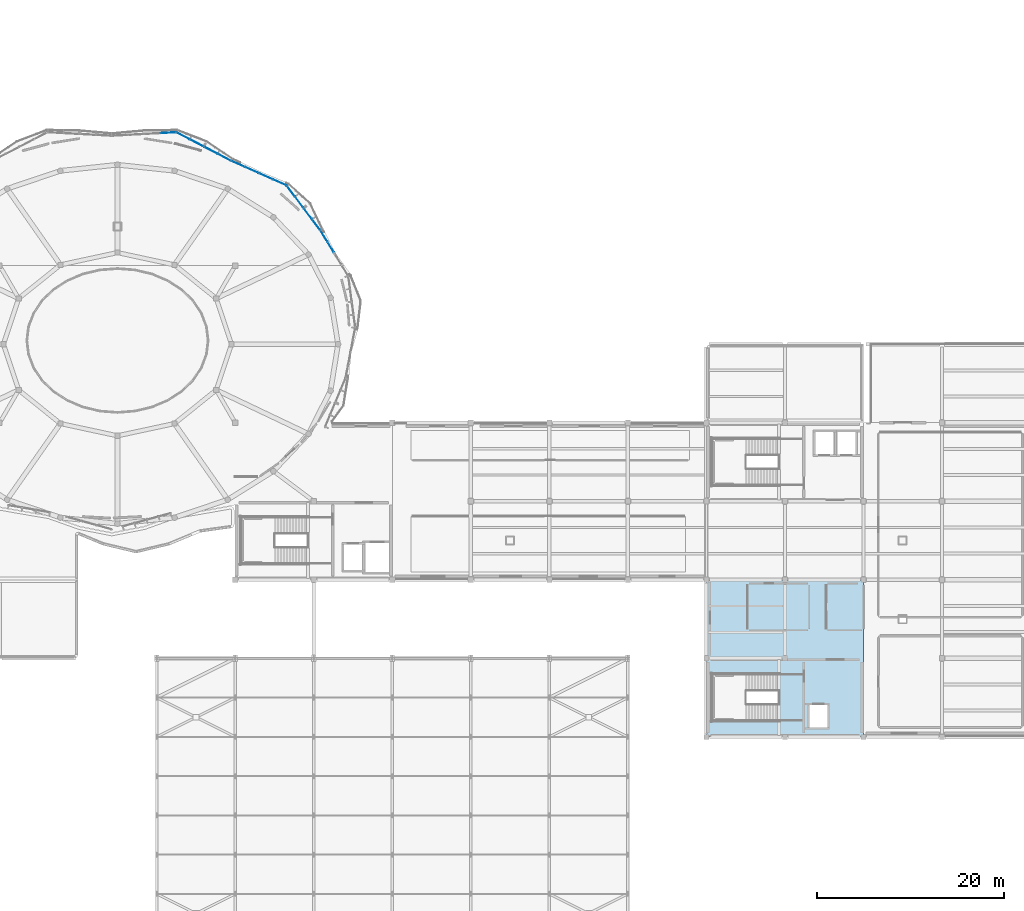
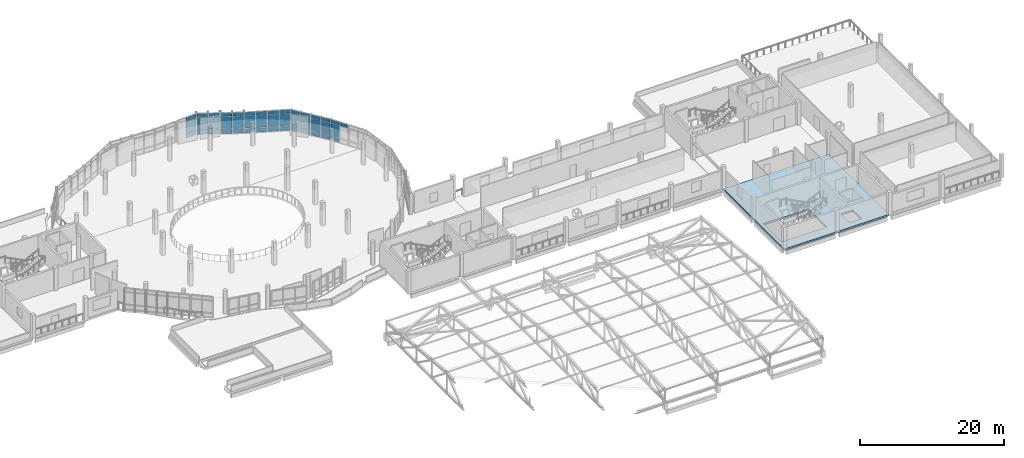
# One storey, part 53 of 74: 43 plates, 1 slab, 8 elements without a shape of their own.
"""IFC4 building model written with IfcOpenShell, lengths in metres."""

from ifc_helpers import new_model, si_unit, derived_unit, direction, frame, origin, origin_2d, place, context, subcontext, project, spatial, polyline, rectangle, outline, extrude, material, layer, layer_set, type_object, element, aggregate, save


model = new_model("IFC4")

# Units and contexts
model_context = context("Model", 3, precision=1e-05, world=origin(), true_north=direction((0.0, 1.0)))
body_context = subcontext(model_context, "Body", "Model", "MODEL_VIEW")
ifc_project = project(units=[si_unit("LENGTHUNIT", "METRE"), si_unit("AREAUNIT", "SQUARE_METRE"), si_unit("VOLUMEUNIT", "CUBIC_METRE"), si_unit("PLANEANGLEUNIT", "RADIAN"), si_unit("MASSUNIT", "GRAM", prefix="KILO"), derived_unit("THERMALTRANSMITTANCEUNIT", [(si_unit("POWERUNIT", "WATT"), 1), (si_unit("LENGTHUNIT", "METRE"), -2), (si_unit("THERMODYNAMICTEMPERATUREUNIT", "KELVIN"), -1)])], contexts=[model_context])

# Site, building, storey
site_placement = place(None, origin())
site = spatial("IfcSite", under=ifc_project, at=site_placement, CompositionType="ELEMENT")
building_placement = place(site_placement, origin())
building = spatial("IfcBuilding", under=site, at=building_placement, Name="Elbkamm Science Centre", CompositionType="ELEMENT")
storey_placement = place(building_placement, frame((0.0, 0.0, 14.39990234375)))
storey = spatial("IfcBuildingStorey", under=building, at=storey_placement, Name="L03", CompositionType="ELEMENT", Elevation=14.39990234375)

# Curtain wall, plates
ifc_material_1 = material(Name="Powder-coated aluminium and triple low-E glazing", Category="aluminium")
ifc_layer_1 = layer(ifc_material_1, 0.159912109375)
ifc_layer_set_1 = layer_set([ifc_layer_1], Name="Powder-coated aluminium and triple low-E glazing")
curtain_wall_type_1 = type_object("IfcCurtainWallType", Name="CW-UNIT-2820x3620", PredefinedType="USERDEFINED", material=ifc_layer_set_1)
curtain_wall_1_placement = place(storey_placement, origin())
curtain_wall_1 = element("IfcCurtainWall", 1, at=curtain_wall_1_placement, inside=storey, type_object=curtain_wall_type_1, Name="L03 Unitised Curtain Wall 048", ObjectType="UNITISED CURTAIN WALL", PredefinedType="USERDEFINED")
ifc_material_2 = material(Name="Triple solar-control insulated safety glass", Category="glass")
ifc_layer_2 = layer(ifc_material_2, 0.0400390625)
ifc_layer_set_2 = layer_set([ifc_layer_2], Name="Triple solar-control insulated safety glass")
plate_type = type_object("IfcPlateType", Name="CW-PNL-40", PredefinedType="CURTAIN_PANEL", material=ifc_layer_set_2)
plate_1_placement = place(storey_placement, frame((85.8115234375, 77.584716796875, 3.0), z_axis=(0.0, 0.0, 1.0), x_axis=(-0.521392814935, 0.853316783225, 0.0)))
plate_1 = element("IfcPlate", 2, at=plate_1_placement, type_object=plate_type, Name="CW-021 panel 1.3", PredefinedType="CURTAIN_PANEL", context=body_context, shape_type="SweptSolid", body=[
    extrude(rectangle(XDim=1.324462890625, YDim=0.0400390625, at=origin_2d()), origin(), (0.0, 0.0, 1.0), 0.56005859375),
])
plate_2_placement = place(storey_placement, frame((85.089599609375, 78.76611328125, 0.06005859375), z_axis=(0.0, 0.0, 1.0), x_axis=(-0.521392814935, 0.853316783225, 0.0)))
plate_2 = element("IfcPlate", 3, at=plate_2_placement, type_object=plate_type, Name="CW-021 panel 2.1", PredefinedType="CURTAIN_PANEL", context=body_context, shape_type="SweptSolid", body=[
    extrude(rectangle(XDim=1.324462890625, YDim=0.0400390625, at=origin_2d()), origin(), (0.0, 0.0, 1.0), 0.760009765625),
])
plate_3_placement = place(storey_placement, frame((85.089599609375, 78.76611328125, 0.880126953125), z_axis=(0.0, 0.0, 1.0), x_axis=(-0.521392814935, 0.853316783225, 0.0)))
plate_3 = element("IfcPlate", 4, at=plate_3_placement, type_object=plate_type, Name="CW-021 panel 2.2", PredefinedType="CURTAIN_PANEL", context=body_context, shape_type="SweptSolid", body=[
    extrude(rectangle(XDim=1.324462890625, YDim=0.0400390625, at=origin_2d()), origin(), (0.0, 0.0, 1.0), 2.06005859375),
])
plate_4_placement = place(storey_placement, frame((85.089599609375, 78.76611328125, 3.0), z_axis=(0.0, 0.0, 1.0), x_axis=(-0.521392814935, 0.853316783225, 0.0)))
plate_4 = element("IfcPlate", 5, at=plate_4_placement, type_object=plate_type, Name="CW-021 panel 2.3", PredefinedType="CURTAIN_PANEL", context=body_context, shape_type="SweptSolid", body=[
    extrude(rectangle(XDim=1.324462890625, YDim=0.0400390625, at=origin_2d()), origin(), (0.0, 0.0, 1.0), 0.56005859375),
])
aggregate(curtain_wall_1, [plate_1, plate_2, plate_3, plate_4])

ifc_layer_3 = layer(ifc_material_1, 0.159912109375)
ifc_layer_set_3 = layer_set([ifc_layer_3], Name="Powder-coated aluminium and triple low-E glazing")
curtain_wall_type_2 = type_object("IfcCurtainWallType", Name="CW-UNIT-2960x3620", PredefinedType="USERDEFINED", material=ifc_layer_set_3)
curtain_wall_2_placement = place(storey_placement, origin())
curtain_wall_2 = element("IfcCurtainWall", 6, at=curtain_wall_2_placement, inside=storey, type_object=curtain_wall_type_2, Name="L03 Unitised Curtain Wall 049", ObjectType="UNITISED CURTAIN WALL", PredefinedType="USERDEFINED")
plate_5_placement = place(storey_placement, frame((84.259033203125, 79.98486328125, 0.06005859375), z_axis=(0.0, 0.0, 1.0), x_axis=(-0.601881182445, 0.798585651148, 0.0)))
plate_5 = element("IfcPlate", 7, at=plate_5_placement, type_object=plate_type, Name="CW-022 panel 1.1", PredefinedType="CURTAIN_PANEL", context=body_context, shape_type="SweptSolid", body=[
    extrude(rectangle(XDim=1.388671875, YDim=0.0400390625, at=origin_2d()), origin(), (0.0, 0.0, 1.0), 0.760009765625),
])
plate_6_placement = place(storey_placement, frame((84.259033203125, 79.98486328125, 0.880126953125), z_axis=(0.0, 0.0, 1.0), x_axis=(-0.601881182445, 0.798585651148, 0.0)))
plate_6 = element("IfcPlate", 8, at=plate_6_placement, type_object=plate_type, Name="CW-022 panel 1.2", PredefinedType="CURTAIN_PANEL", context=body_context, shape_type="SweptSolid", body=[
    extrude(rectangle(XDim=1.388671875, YDim=0.0400390625, at=origin_2d()), origin(), (0.0, 0.0, 1.0), 2.06005859375),
])
plate_7_placement = place(storey_placement, frame((84.259033203125, 79.98486328125, 3.0), z_axis=(0.0, 0.0, 1.0), x_axis=(-0.601881182445, 0.798585651148, 0.0)))
plate_7 = element("IfcPlate", 9, at=plate_7_placement, type_object=plate_type, Name="CW-022 panel 1.3", PredefinedType="CURTAIN_PANEL", context=body_context, shape_type="SweptSolid", body=[
    extrude(rectangle(XDim=1.388671875, YDim=0.0400390625, at=origin_2d()), origin(), (0.0, 0.0, 1.0), 0.56005859375),
])
plate_8_placement = place(storey_placement, frame((83.38720703125, 81.1416015625, 0.06005859375), z_axis=(0.0, 0.0, 1.0), x_axis=(-0.601881182445, 0.798585651148, 0.0)))
plate_8 = element("IfcPlate", 10, at=plate_8_placement, type_object=plate_type, Name="CW-022 panel 2.1", PredefinedType="CURTAIN_PANEL", context=body_context, shape_type="SweptSolid", body=[
    extrude(rectangle(XDim=1.388671875, YDim=0.0400390625, at=origin_2d()), origin(), (0.0, 0.0, 1.0), 0.760009765625),
])
plate_9_placement = place(storey_placement, frame((83.38720703125, 81.1416015625, 0.880126953125), z_axis=(0.0, 0.0, 1.0), x_axis=(-0.601881182445, 0.798585651148, 0.0)))
plate_9 = element("IfcPlate", 11, at=plate_9_placement, type_object=plate_type, Name="CW-022 panel 2.2", PredefinedType="CURTAIN_PANEL", context=body_context, shape_type="SweptSolid", body=[
    extrude(rectangle(XDim=1.388671875, YDim=0.0400390625, at=origin_2d()), origin(), (0.0, 0.0, 1.0), 2.06005859375),
])
plate_10_placement = place(storey_placement, frame((83.38720703125, 81.1416015625, 3.0), z_axis=(0.0, 0.0, 1.0), x_axis=(-0.601881182445, 0.798585651148, 0.0)))
plate_10 = element("IfcPlate", 12, at=plate_10_placement, type_object=plate_type, Name="CW-022 panel 2.3", PredefinedType="CURTAIN_PANEL", context=body_context, shape_type="SweptSolid", body=[
    extrude(rectangle(XDim=1.388671875, YDim=0.0400390625, at=origin_2d()), origin(), (0.0, 0.0, 1.0), 0.56005859375),
])
aggregate(curtain_wall_2, [plate_5, plate_6, plate_7, plate_8, plate_9, plate_10])

curtain_wall_3_placement = place(storey_placement, origin())
curtain_wall_3 = element("IfcCurtainWall", 13, at=curtain_wall_3_placement, inside=storey, type_object=curtain_wall_type_2, Name="L03 Unitised Curtain Wall 050", ObjectType="UNITISED CURTAIN WALL", PredefinedType="USERDEFINED")
plate_11_placement = place(storey_placement, frame((82.430908203125, 82.410400390625, 0.06005859375), z_axis=(0.0, 0.0, 1.0), x_axis=(-0.601881182445, 0.798585651148, 0.0)))
plate_11 = element("IfcPlate", 14, at=plate_11_placement, type_object=plate_type, Name="CW-022 panel 1.1", PredefinedType="CURTAIN_PANEL", context=body_context, shape_type="SweptSolid", body=[
    extrude(rectangle(XDim=1.388671875, YDim=0.0400390625, at=origin_2d()), origin(), (0.0, 0.0, 1.0), 0.760009765625),
])
plate_12_placement = place(storey_placement, frame((82.430908203125, 82.410400390625, 0.880126953125), z_axis=(0.0, 0.0, 1.0), x_axis=(-0.601881182445, 0.798585651148, 0.0)))
plate_12 = element("IfcPlate", 15, at=plate_12_placement, type_object=plate_type, Name="CW-022 panel 1.2", PredefinedType="CURTAIN_PANEL", context=body_context, shape_type="SweptSolid", body=[
    extrude(rectangle(XDim=1.388671875, YDim=0.0400390625, at=origin_2d()), origin(), (0.0, 0.0, 1.0), 2.06005859375),
])
plate_13_placement = place(storey_placement, frame((82.430908203125, 82.410400390625, 3.0), z_axis=(0.0, 0.0, 1.0), x_axis=(-0.601881182445, 0.798585651148, 0.0)))
plate_13 = element("IfcPlate", 16, at=plate_13_placement, type_object=plate_type, Name="CW-022 panel 1.3", PredefinedType="CURTAIN_PANEL", context=body_context, shape_type="SweptSolid", body=[
    extrude(rectangle(XDim=1.388671875, YDim=0.0400390625, at=origin_2d()), origin(), (0.0, 0.0, 1.0), 0.56005859375),
])
plate_14_placement = place(storey_placement, frame((81.55908203125, 83.567138671875, 0.06005859375), z_axis=(0.0, 0.0, 1.0), x_axis=(-0.601881182445, 0.798585651148, 0.0)))
plate_14 = element("IfcPlate", 17, at=plate_14_placement, type_object=plate_type, Name="CW-022 panel 2.1", PredefinedType="CURTAIN_PANEL", context=body_context, shape_type="SweptSolid", body=[
    extrude(rectangle(XDim=1.388671875, YDim=0.0400390625, at=origin_2d()), origin(), (0.0, 0.0, 1.0), 0.760009765625),
])
plate_15_placement = place(storey_placement, frame((81.55908203125, 83.567138671875, 0.880126953125), z_axis=(0.0, 0.0, 1.0), x_axis=(-0.601881182445, 0.798585651148, 0.0)))
plate_15 = element("IfcPlate", 18, at=plate_15_placement, type_object=plate_type, Name="CW-022 panel 2.2", PredefinedType="CURTAIN_PANEL", context=body_context, shape_type="SweptSolid", body=[
    extrude(rectangle(XDim=1.388671875, YDim=0.0400390625, at=origin_2d()), origin(), (0.0, 0.0, 1.0), 2.06005859375),
])
plate_16_placement = place(storey_placement, frame((81.55908203125, 83.567138671875, 3.0), z_axis=(0.0, 0.0, 1.0), x_axis=(-0.601881182445, 0.798585651148, 0.0)))
plate_16 = element("IfcPlate", 19, at=plate_16_placement, type_object=plate_type, Name="CW-022 panel 2.3", PredefinedType="CURTAIN_PANEL", context=body_context, shape_type="SweptSolid", body=[
    extrude(rectangle(XDim=1.388671875, YDim=0.0400390625, at=origin_2d()), origin(), (0.0, 0.0, 1.0), 0.56005859375),
])
aggregate(curtain_wall_3, [plate_11, plate_12, plate_13, plate_14, plate_15, plate_16])

ifc_layer_4 = layer(ifc_material_1, 0.159912109375)
ifc_layer_set_4 = layer_set([ifc_layer_4], Name="Powder-coated aluminium and triple low-E glazing")
curtain_wall_type_3 = type_object("IfcCurtainWallType", Name="CW-UNIT-3200x3620", PredefinedType="USERDEFINED", material=ifc_layer_set_4)
curtain_wall_4_placement = place(storey_placement, origin())
curtain_wall_4 = element("IfcCurtainWall", 20, at=curtain_wall_4_placement, inside=storey, type_object=curtain_wall_type_3, Name="L03 Unitised Curtain Wall 051", ObjectType="UNITISED CURTAIN WALL", PredefinedType="USERDEFINED")
plate_17_placement = place(storey_placement, frame((80.359619140625, 84.500732421875, 0.06005859375), z_axis=(0.0, 0.0, 1.0), x_axis=(-0.913897796614, 0.405944352522, 0.0)))
plate_17 = element("IfcPlate", 21, at=plate_17_placement, type_object=plate_type, Name="CW-023 panel 1.1", PredefinedType="CURTAIN_PANEL", context=body_context, shape_type="SweptSolid", body=[
    extrude(rectangle(XDim=1.51123046875, YDim=0.0400390625, at=origin_2d()), origin(), (0.0, 0.0, 1.0), 0.760009765625),
])
plate_18_placement = place(storey_placement, frame((80.359619140625, 84.500732421875, 0.880126953125), z_axis=(0.0, 0.0, 1.0), x_axis=(-0.913897796614, 0.405944352522, 0.0)))
plate_18 = element("IfcPlate", 22, at=plate_18_placement, type_object=plate_type, Name="CW-023 panel 1.2", PredefinedType="CURTAIN_PANEL", context=body_context, shape_type="SweptSolid", body=[
    extrude(rectangle(XDim=1.51123046875, YDim=0.0400390625, at=origin_2d()), origin(), (0.0, 0.0, 1.0), 2.06005859375),
])
plate_19_placement = place(storey_placement, frame((80.359619140625, 84.500732421875, 3.0), z_axis=(0.0, 0.0, 1.0), x_axis=(-0.913897796614, 0.405944352522, 0.0)))
plate_19 = element("IfcPlate", 23, at=plate_19_placement, type_object=plate_type, Name="CW-023 panel 1.3", PredefinedType="CURTAIN_PANEL", context=body_context, shape_type="SweptSolid", body=[
    extrude(rectangle(XDim=1.51123046875, YDim=0.0400390625, at=origin_2d()), origin(), (0.0, 0.0, 1.0), 0.56005859375),
])
plate_20_placement = place(storey_placement, frame((78.923583984375, 85.138671875, 0.06005859375), z_axis=(0.0, 0.0, 1.0), x_axis=(-0.913897796614, 0.405944352522, 0.0)))
plate_20 = element("IfcPlate", 24, at=plate_20_placement, type_object=plate_type, Name="CW-023 panel 2.1", PredefinedType="CURTAIN_PANEL", context=body_context, shape_type="SweptSolid", body=[
    extrude(rectangle(XDim=1.51123046875, YDim=0.0400390625, at=origin_2d()), origin(), (0.0, 0.0, 1.0), 0.760009765625),
])
plate_21_placement = place(storey_placement, frame((78.923583984375, 85.138671875, 0.880126953125), z_axis=(0.0, 0.0, 1.0), x_axis=(-0.913897796614, 0.405944352522, 0.0)))
plate_21 = element("IfcPlate", 25, at=plate_21_placement, type_object=plate_type, Name="CW-023 panel 2.2", PredefinedType="CURTAIN_PANEL", context=body_context, shape_type="SweptSolid", body=[
    extrude(rectangle(XDim=1.51123046875, YDim=0.0400390625, at=origin_2d()), origin(), (0.0, 0.0, 1.0), 2.06005859375),
])
plate_22_placement = place(storey_placement, frame((78.923583984375, 85.138671875, 3.0), z_axis=(0.0, 0.0, 1.0), x_axis=(-0.913897796614, 0.405944352522, 0.0)))
plate_22 = element("IfcPlate", 26, at=plate_22_placement, type_object=plate_type, Name="CW-023 panel 2.3", PredefinedType="CURTAIN_PANEL", context=body_context, shape_type="SweptSolid", body=[
    extrude(rectangle(XDim=1.51123046875, YDim=0.0400390625, at=origin_2d()), origin(), (0.0, 0.0, 1.0), 0.56005859375),
])
aggregate(curtain_wall_4, [plate_17, plate_18, plate_19, plate_20, plate_21, plate_22])

curtain_wall_5_placement = place(storey_placement, origin())
curtain_wall_5 = element("IfcCurtainWall", 27, at=curtain_wall_5_placement, inside=storey, type_object=curtain_wall_type_3, Name="L03 Unitised Curtain Wall 052", ObjectType="UNITISED CURTAIN WALL", PredefinedType="USERDEFINED")
plate_23_placement = place(storey_placement, frame((77.359619140625, 85.833251953125, 0.06005859375), z_axis=(0.0, 0.0, 1.0), x_axis=(-0.913897796614, 0.405944352522, 0.0)))
plate_23 = element("IfcPlate", 28, at=plate_23_placement, type_object=plate_type, Name="CW-023 panel 1.1", PredefinedType="CURTAIN_PANEL", context=body_context, shape_type="SweptSolid", body=[
    extrude(rectangle(XDim=1.51123046875, YDim=0.0400390625, at=origin_2d()), origin(), (0.0, 0.0, 1.0), 0.760009765625),
])
plate_24_placement = place(storey_placement, frame((77.359619140625, 85.833251953125, 0.880126953125), z_axis=(0.0, 0.0, 1.0), x_axis=(-0.913897796614, 0.405944352522, 0.0)))
plate_24 = element("IfcPlate", 29, at=plate_24_placement, type_object=plate_type, Name="CW-023 panel 1.2", PredefinedType="CURTAIN_PANEL", context=body_context, shape_type="SweptSolid", body=[
    extrude(rectangle(XDim=1.51123046875, YDim=0.0400390625, at=origin_2d()), origin(), (0.0, 0.0, 1.0), 2.06005859375),
])
plate_25_placement = place(storey_placement, frame((77.359619140625, 85.833251953125, 3.0), z_axis=(0.0, 0.0, 1.0), x_axis=(-0.913897796614, 0.405944352522, 0.0)))
plate_25 = element("IfcPlate", 30, at=plate_25_placement, type_object=plate_type, Name="CW-023 panel 1.3", PredefinedType="CURTAIN_PANEL", context=body_context, shape_type="SweptSolid", body=[
    extrude(rectangle(XDim=1.51123046875, YDim=0.0400390625, at=origin_2d()), origin(), (0.0, 0.0, 1.0), 0.56005859375),
])
plate_26_placement = place(storey_placement, frame((75.923583984375, 86.47119140625, 0.06005859375), z_axis=(0.0, 0.0, 1.0), x_axis=(-0.913897796614, 0.405944352522, 0.0)))
plate_26 = element("IfcPlate", 31, at=plate_26_placement, type_object=plate_type, Name="CW-023 panel 2.1", PredefinedType="CURTAIN_PANEL", context=body_context, shape_type="SweptSolid", body=[
    extrude(rectangle(XDim=1.51123046875, YDim=0.0400390625, at=origin_2d()), origin(), (0.0, 0.0, 1.0), 0.760009765625),
])
plate_27_placement = place(storey_placement, frame((75.923583984375, 86.47119140625, 0.880126953125), z_axis=(0.0, 0.0, 1.0), x_axis=(-0.913897796614, 0.405944352522, 0.0)))
plate_27 = element("IfcPlate", 32, at=plate_27_placement, type_object=plate_type, Name="CW-023 panel 2.2", PredefinedType="CURTAIN_PANEL", context=body_context, shape_type="SweptSolid", body=[
    extrude(rectangle(XDim=1.51123046875, YDim=0.0400390625, at=origin_2d()), origin(), (0.0, 0.0, 1.0), 2.06005859375),
])
plate_28_placement = place(storey_placement, frame((75.923583984375, 86.47119140625, 3.0), z_axis=(0.0, 0.0, 1.0), x_axis=(-0.913897796614, 0.405944352522, 0.0)))
plate_28 = element("IfcPlate", 33, at=plate_28_placement, type_object=plate_type, Name="CW-023 panel 2.3", PredefinedType="CURTAIN_PANEL", context=body_context, shape_type="SweptSolid", body=[
    extrude(rectangle(XDim=1.51123046875, YDim=0.0400390625, at=origin_2d()), origin(), (0.0, 0.0, 1.0), 0.56005859375),
])
aggregate(curtain_wall_5, [plate_23, plate_24, plate_25, plate_26, plate_27, plate_28])

ifc_layer_5 = layer(ifc_material_1, 0.159912109375)
ifc_layer_set_5 = layer_set([ifc_layer_5], Name="Powder-coated aluminium and triple low-E glazing")
curtain_wall_type_4 = type_object("IfcCurtainWallType", Name="CW-UNIT-3280x3620", PredefinedType="USERDEFINED", material=ifc_layer_set_5)
curtain_wall_6_placement = place(storey_placement, origin())
curtain_wall_6 = element("IfcCurtainWall", 34, at=curtain_wall_6_placement, inside=storey, type_object=curtain_wall_type_4, Name="L03 Unitised Curtain Wall 053", ObjectType="UNITISED CURTAIN WALL", PredefinedType="USERDEFINED")
plate_29_placement = place(storey_placement, frame((74.43701171875, 87.1875, 0.06005859375), z_axis=(0.0, 0.0, 1.0), x_axis=(-0.887363474835, 0.461070562419, 0.0)))
plate_29 = element("IfcPlate", 35, at=plate_29_placement, type_object=plate_type, Name="CW-024 panel 1.1", PredefinedType="CURTAIN_PANEL", context=body_context, shape_type="SweptSolid", body=[
    extrude(rectangle(XDim=1.550537109375, YDim=0.0400390625, at=origin_2d()), origin(), (0.0, 0.0, 1.0), 0.760009765625),
])
plate_30_placement = place(storey_placement, frame((74.43701171875, 87.1875, 0.880126953125), z_axis=(0.0, 0.0, 1.0), x_axis=(-0.887363474835, 0.461070562419, 0.0)))
plate_30 = element("IfcPlate", 36, at=plate_30_placement, type_object=plate_type, Name="CW-024 panel 1.2", PredefinedType="CURTAIN_PANEL", context=body_context, shape_type="SweptSolid", body=[
    extrude(rectangle(XDim=1.550537109375, YDim=0.0400390625, at=origin_2d()), origin(), (0.0, 0.0, 1.0), 2.06005859375),
])
plate_31_placement = place(storey_placement, frame((74.43701171875, 87.1875, 3.0), z_axis=(0.0, 0.0, 1.0), x_axis=(-0.887363474835, 0.461070562419, 0.0)))
plate_31 = element("IfcPlate", 37, at=plate_31_placement, type_object=plate_type, Name="CW-024 panel 1.3", PredefinedType="CURTAIN_PANEL", context=body_context, shape_type="SweptSolid", body=[
    extrude(rectangle(XDim=1.550537109375, YDim=0.0400390625, at=origin_2d()), origin(), (0.0, 0.0, 1.0), 0.56005859375),
])
plate_32_placement = place(storey_placement, frame((73.008056640625, 87.929931640625, 0.06005859375), z_axis=(0.0, 0.0, 1.0), x_axis=(-0.887363474835, 0.461070562419, 0.0)))
plate_32 = element("IfcPlate", 38, at=plate_32_placement, type_object=plate_type, Name="CW-024 panel 2.1", PredefinedType="CURTAIN_PANEL", context=body_context, shape_type="SweptSolid", body=[
    extrude(rectangle(XDim=1.550537109375, YDim=0.0400390625, at=origin_2d()), origin(), (0.0, 0.0, 1.0), 0.760009765625),
])
plate_33_placement = place(storey_placement, frame((73.008056640625, 87.929931640625, 0.880126953125), z_axis=(0.0, 0.0, 1.0), x_axis=(-0.887363474835, 0.461070562419, 0.0)))
plate_33 = element("IfcPlate", 39, at=plate_33_placement, type_object=plate_type, Name="CW-024 panel 2.2", PredefinedType="CURTAIN_PANEL", context=body_context, shape_type="SweptSolid", body=[
    extrude(rectangle(XDim=1.550537109375, YDim=0.0400390625, at=origin_2d()), origin(), (0.0, 0.0, 1.0), 2.06005859375),
])
plate_34_placement = place(storey_placement, frame((73.008056640625, 87.929931640625, 3.0), z_axis=(0.0, 0.0, 1.0), x_axis=(-0.887363474835, 0.461070562419, 0.0)))
plate_34 = element("IfcPlate", 40, at=plate_34_placement, type_object=plate_type, Name="CW-024 panel 2.3", PredefinedType="CURTAIN_PANEL", context=body_context, shape_type="SweptSolid", body=[
    extrude(rectangle(XDim=1.550537109375, YDim=0.0400390625, at=origin_2d()), origin(), (0.0, 0.0, 1.0), 0.56005859375),
])
aggregate(curtain_wall_6, [plate_29, plate_30, plate_31, plate_32, plate_33, plate_34])

curtain_wall_7_placement = place(storey_placement, origin())
curtain_wall_7 = element("IfcCurtainWall", 41, at=curtain_wall_7_placement, inside=storey, type_object=curtain_wall_type_4, Name="L03 Unitised Curtain Wall 054", ObjectType="UNITISED CURTAIN WALL", PredefinedType="USERDEFINED")
plate_35_placement = place(storey_placement, frame((71.454833984375, 88.737060546875, 0.06005859375), z_axis=(0.0, 0.0, 1.0), x_axis=(-0.887363474835, 0.461070562419, 0.0)))
plate_35 = element("IfcPlate", 42, at=plate_35_placement, type_object=plate_type, Name="CW-024 panel 1.1", PredefinedType="CURTAIN_PANEL", context=body_context, shape_type="SweptSolid", body=[
    extrude(rectangle(XDim=1.550537109375, YDim=0.0400390625, at=origin_2d()), origin(), (0.0, 0.0, 1.0), 0.760009765625),
])
plate_36_placement = place(storey_placement, frame((71.454833984375, 88.737060546875, 0.880126953125), z_axis=(0.0, 0.0, 1.0), x_axis=(-0.887363474835, 0.461070562419, 0.0)))
plate_36 = element("IfcPlate", 43, at=plate_36_placement, type_object=plate_type, Name="CW-024 panel 1.2", PredefinedType="CURTAIN_PANEL", context=body_context, shape_type="SweptSolid", body=[
    extrude(rectangle(XDim=1.550537109375, YDim=0.0400390625, at=origin_2d()), origin(), (0.0, 0.0, 1.0), 2.06005859375),
])
plate_37_placement = place(storey_placement, frame((71.454833984375, 88.737060546875, 3.0), z_axis=(0.0, 0.0, 1.0), x_axis=(-0.887363474835, 0.461070562419, 0.0)))
plate_37 = element("IfcPlate", 44, at=plate_37_placement, type_object=plate_type, Name="CW-024 panel 1.3", PredefinedType="CURTAIN_PANEL", context=body_context, shape_type="SweptSolid", body=[
    extrude(rectangle(XDim=1.550537109375, YDim=0.0400390625, at=origin_2d()), origin(), (0.0, 0.0, 1.0), 0.56005859375),
])
plate_38_placement = place(storey_placement, frame((70.02587890625, 89.4794921875, 0.06005859375), z_axis=(0.0, 0.0, 1.0), x_axis=(-0.887363474835, 0.461070562419, 0.0)))
plate_38 = element("IfcPlate", 45, at=plate_38_placement, type_object=plate_type, Name="CW-024 panel 2.1", PredefinedType="CURTAIN_PANEL", context=body_context, shape_type="SweptSolid", body=[
    extrude(rectangle(XDim=1.550537109375, YDim=0.0400390625, at=origin_2d()), origin(), (0.0, 0.0, 1.0), 0.760009765625),
])
plate_39_placement = place(storey_placement, frame((70.02587890625, 89.4794921875, 0.880126953125), z_axis=(0.0, 0.0, 1.0), x_axis=(-0.887363474835, 0.461070562419, 0.0)))
plate_39 = element("IfcPlate", 46, at=plate_39_placement, type_object=plate_type, Name="CW-024 panel 2.2", PredefinedType="CURTAIN_PANEL", context=body_context, shape_type="SweptSolid", body=[
    extrude(rectangle(XDim=1.550537109375, YDim=0.0400390625, at=origin_2d()), origin(), (0.0, 0.0, 1.0), 2.06005859375),
])
plate_40_placement = place(storey_placement, frame((70.02587890625, 89.4794921875, 3.0), z_axis=(0.0, 0.0, 1.0), x_axis=(-0.887363474835, 0.461070562419, 0.0)))
plate_40 = element("IfcPlate", 47, at=plate_40_placement, type_object=plate_type, Name="CW-024 panel 2.3", PredefinedType="CURTAIN_PANEL", context=body_context, shape_type="SweptSolid", body=[
    extrude(rectangle(XDim=1.550537109375, YDim=0.0400390625, at=origin_2d()), origin(), (0.0, 0.0, 1.0), 0.56005859375),
])
aggregate(curtain_wall_7, [plate_35, plate_36, plate_37, plate_38, plate_39, plate_40])

ifc_layer_6 = layer(ifc_material_1, 0.159912109375)
ifc_layer_set_6 = layer_set([ifc_layer_6], Name="Powder-coated aluminium and triple low-E glazing")
curtain_wall_type_5 = type_object("IfcCurtainWallType", Name="CW-UNIT-3400x3620", PredefinedType="USERDEFINED", material=ifc_layer_set_6)
curtain_wall_8_placement = place(storey_placement, origin())
curtain_wall_8 = element("IfcCurtainWall", 48, at=curtain_wall_8_placement, inside=storey, type_object=curtain_wall_type_5, Name="L03 Unitised Curtain Wall 055", ObjectType="UNITISED CURTAIN WALL", PredefinedType="USERDEFINED")
plate_41_placement = place(storey_placement, frame((68.419189453125, 89.816162109375, 0.06005859375), z_axis=(0.0, 0.0, 1.0), x_axis=(-0.998442786564, -0.055785320279, 0.0)))
plate_41 = element("IfcPlate", 49, at=plate_41_placement, type_object=plate_type, Name="CW-025 panel 1.1", PredefinedType="CURTAIN_PANEL", context=body_context, shape_type="SweptSolid", body=[
    extrude(rectangle(XDim=1.61376953125, YDim=0.0400390625, at=origin_2d()), origin(), (0.0, 0.0, 1.0), 0.760009765625),
])
plate_42_placement = place(storey_placement, frame((68.419189453125, 89.816162109375, 0.880126953125), z_axis=(0.0, 0.0, 1.0), x_axis=(-0.998442786564, -0.055785320279, 0.0)))
plate_42 = element("IfcPlate", 50, at=plate_42_placement, type_object=plate_type, Name="CW-025 panel 1.2", PredefinedType="CURTAIN_PANEL", context=body_context, shape_type="SweptSolid", body=[
    extrude(rectangle(XDim=1.61376953125, YDim=0.0400390625, at=origin_2d()), origin(), (0.0, 0.0, 1.0), 2.06005859375),
])
plate_43_placement = place(storey_placement, frame((68.419189453125, 89.816162109375, 3.0), z_axis=(0.0, 0.0, 1.0), x_axis=(-0.998442786564, -0.055785320279, 0.0)))
plate_43 = element("IfcPlate", 51, at=plate_43_placement, type_object=plate_type, Name="CW-025 panel 1.3", PredefinedType="CURTAIN_PANEL", context=body_context, shape_type="SweptSolid", body=[
    extrude(rectangle(XDim=1.61376953125, YDim=0.0400390625, at=origin_2d()), origin(), (0.0, 0.0, 1.0), 0.56005859375),
])
aggregate(curtain_wall_8, [plate_41, plate_42, plate_43])

# Slab
ifc_material_3 = material(Name="Reinforced concrete C40/50", Category="concrete")
ifc_layer_7 = layer(ifc_material_3, 0.280029296875)
ifc_layer_set_7 = layer_set([ifc_layer_7], Name="Reinforced concrete C40/50")
slab_type = type_object("IfcSlabType", Name="SLAB-FLR-280", PredefinedType="FLOOR", material=ifc_layer_set_7)
slab_placement = place(storey_placement, frame((0.0, 0.0, -0.27978515625)))
element("IfcSlab", 52, at=slab_placement, inside=storey, type_object=slab_type, Name="L03 Structural Slab E1S-05", PredefinedType="FLOOR", context=body_context, shape_type="SweptSolid", body=[
    extrude(outline(polyline([(126.02490234375, 25.199951171875), (126.02490234375, 42.0), (142.800048828125, 42.0), (142.800048828125, 25.199951171875), (126.02490234375, 25.199951171875)]), holes=[polyline([(126.60009765625, 26.8798828125), (133.780029296875, 26.8798828125), (133.780029296875, 31.919921875), (126.60009765625, 31.919921875), (126.60009765625, 26.8798828125)]), polyline([(137.050048828125, 26.199951171875), (138.949951171875, 26.199951171875), (138.949951171875, 28.60009765625), (137.050048828125, 28.60009765625), (137.050048828125, 26.199951171875)])]), origin(), (0.0, 0.0, 1.0), 0.27978515625),
])

save(model, "model.ifc")
